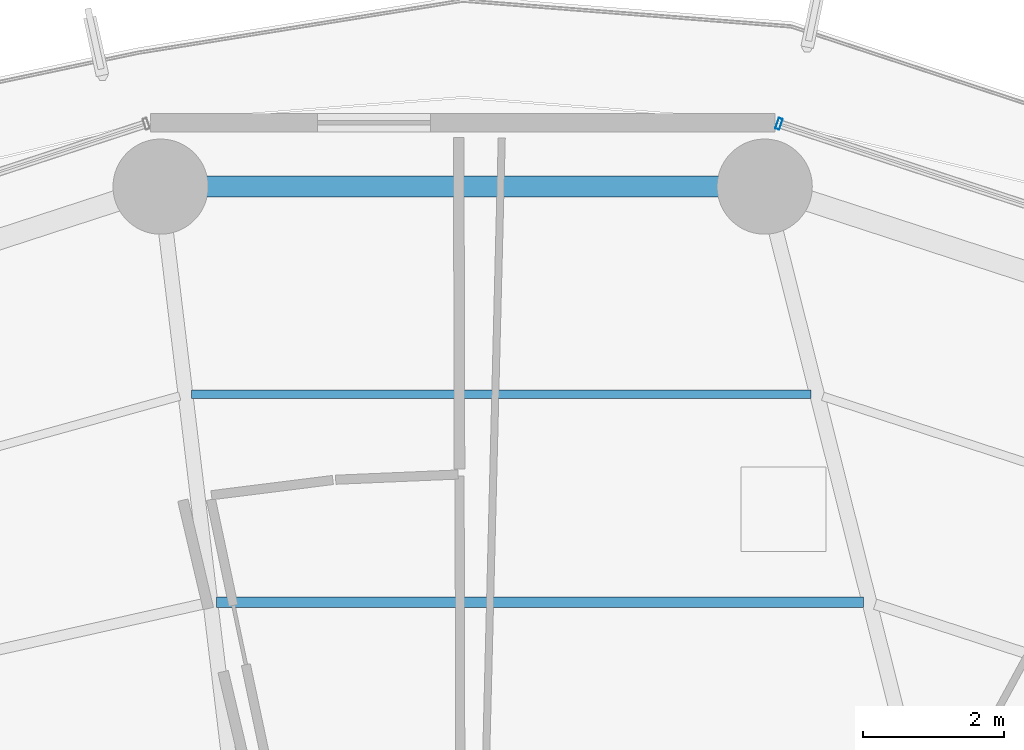
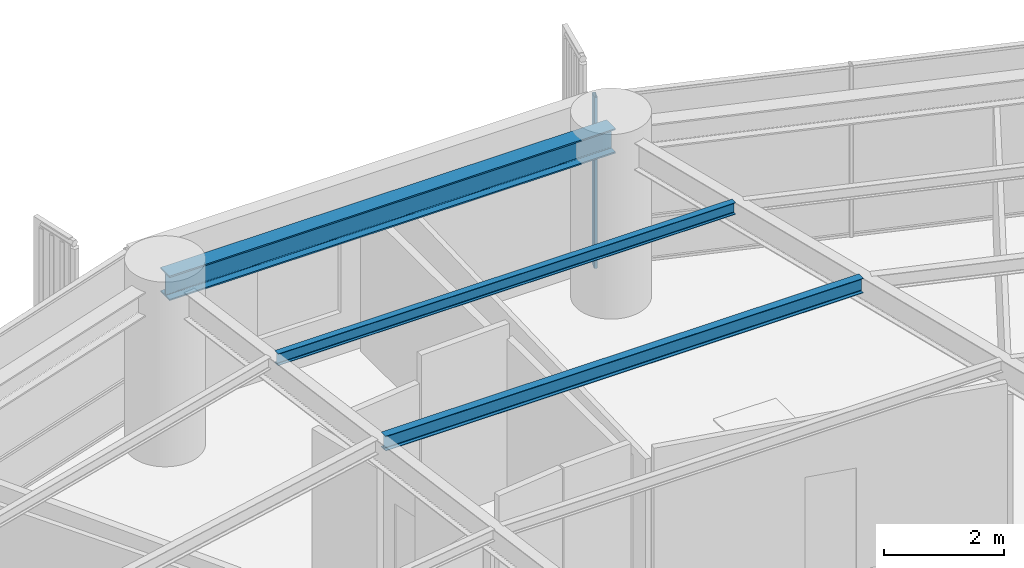
# One storey, part 23 of 35: 3 beams, 1 member, 1 element without a shape of its own.
"""IFC4 building model written with IfcOpenShell, lengths in metres."""

from ifc_helpers import new_model, si_unit, direction, frame, origin, origin_2d, place, context, subcontext, project, spatial, hollow_rectangle, i_section, extrude, material, layer, layer_set, material_profile, profile_set, type_object, element, aggregate, save


model = new_model("IFC4")

# Units and contexts
model_context = context("Model", 3, precision=1e-05, world=origin(), true_north=direction((0.0, 1.0)))
body_context = subcontext(model_context, "Body", "Model", "MODEL_VIEW")
ifc_project = project(units=[si_unit("LENGTHUNIT", "METRE"), si_unit("AREAUNIT", "SQUARE_METRE"), si_unit("VOLUMEUNIT", "CUBIC_METRE"), si_unit("PLANEANGLEUNIT", "RADIAN"), si_unit("MASSUNIT", "GRAM", prefix="KILO")], contexts=[model_context])

# Site, building, storey
site_placement = place(None, origin())
site = spatial("IfcSite", under=ifc_project, at=site_placement, CompositionType="ELEMENT")
building_placement = place(site_placement, origin())
building = spatial("IfcBuilding", under=site, at=building_placement, Name="Kelanora Arch Commons", CompositionType="ELEMENT")
storey_placement = place(building_placement, frame((0.0, 0.0, 121.35009765625)))
storey = spatial("IfcBuildingStorey", under=building, at=storey_placement, Name="L31", CompositionType="ELEMENT", Elevation=121.35009765625)

# Beams
ifc_material_1 = material(Name="Steel S355", Category="steel")
ifc_material_profile_1 = material_profile(ifc_material_1, i_section(OverallWidth=0.14990234375, OverallDepth=0.300048828125, WebThickness=0.007080078125, FlangeThickness=0.0107421875, FilletRadius=0.014892578125, at=origin_2d()), Name="IPE300")
ifc_profile_set_1 = profile_set([ifc_material_profile_1], Name="Steel S355")
beam_type_1 = type_object("IfcBeamType", Name="BM-JST-01", PredefinedType="JOIST", material=ifc_profile_set_1)
beam_1_placement = place(storey_placement, frame((79.686279296875, 73.8466796875, 3.33984375), z_axis=(-1.0, 0.0, 0.0), x_axis=(0.0, -1.0, 0.0)))
element("IfcBeam", 1, at=beam_1_placement, inside=storey, type_object=beam_type_1, Name="Secondary Chord Joist BJB-08 L31", PredefinedType="JOIST", context=body_context, shape_type="SweptSolid", body=[
    extrude(i_section(OverallWidth=0.14990234375, OverallDepth=0.300048828125, WebThickness=0.007080078125, FlangeThickness=0.0107421875, FilletRadius=0.014892578125, at=origin_2d()), origin(), (0.0, 0.0, 1.0), 9.1806640625),
])
ifc_material_profile_2 = material_profile(ifc_material_1, i_section(OverallWidth=0.1201171875, OverallDepth=0.239990234375, WebThickness=0.006103515625, FlangeThickness=0.009765625, FilletRadius=0.014892578125, at=origin_2d()), Name="IPE240")
ifc_profile_set_2 = profile_set([ifc_material_profile_2], Name="Steel S355")
beam_type_2 = type_object("IfcBeamType", Name="BM-JST-02", PredefinedType="JOIST", material=ifc_profile_set_2)
beam_2_placement = place(storey_placement, frame((78.943603515625, 76.795654296875, 3.369873046875), z_axis=(-1.0, 0.0, 0.0), x_axis=(0.0, -1.0, 0.0)))
element("IfcBeam", 2, at=beam_2_placement, inside=storey, type_object=beam_type_2, Name="Secondary Chord Joist BJC-08 L31", PredefinedType="JOIST", context=body_context, shape_type="SweptSolid", body=[
    extrude(i_section(OverallWidth=0.1201171875, OverallDepth=0.239990234375, WebThickness=0.006103515625, FlangeThickness=0.009765625, FilletRadius=0.014892578125, at=origin_2d()), origin(), (0.0, 0.0, 1.0), 8.791015625),
])
ifc_material_profile_3 = material_profile(ifc_material_1, i_section(OverallWidth=0.300048828125, OverallDepth=0.5, WebThickness=0.014404296875, FlangeThickness=0.028076171875, FilletRadius=0.027099609375, at=origin_2d()), Name="HEB500")
ifc_profile_set_3 = profile_set([ifc_material_profile_3], Name="Steel S355")
beam_type_3 = type_object("IfcBeamType", Name="BM-SPN-Z2", PredefinedType="SPANDREL", material=ifc_profile_set_3)
beam_3_placement = place(storey_placement, frame((78.28564453125, 79.74462890625, 3.239990234375), z_axis=(-1.0, 0.0, 0.0), x_axis=(0.0, -1.0, 0.0)))
element("IfcBeam", 3, at=beam_3_placement, inside=storey, type_object=beam_type_3, Name="Perimeter Spandrel Beam BS-08 L31", PredefinedType="SPANDREL", context=body_context, shape_type="SweptSolid", body=[
    extrude(i_section(OverallWidth=0.300048828125, OverallDepth=0.5, WebThickness=0.014404296875, FlangeThickness=0.028076171875, FilletRadius=0.027099609375, at=origin_2d()), origin(), (0.0, 0.0, 1.0), 8.5712890625),
])

# Curtain wall, member
ifc_material_2 = material(Name="Terracotta ceramic-fritted low-E glass and aluminium", Category="masonry")
ifc_layer = layer(ifc_material_2, 0.159912109375)
ifc_layer_set = layer_set([ifc_layer], Name="Terracotta ceramic-fritted low-E glass and aluminium")
curtain_wall_type = type_object("IfcCurtainWallType", Name="CW-SYS-01", PredefinedType="NOTDEFINED", material=ifc_layer_set)
curtain_wall_placement = place(storey_placement, origin())
curtain_wall = element("IfcCurtainWall", 4, at=curtain_wall_placement, inside=storey, type_object=curtain_wall_type, Name="Unitised Curtain Wall L31-B03", PredefinedType="NOTDEFINED")
ifc_material_3 = material(Name="Powder-coated aluminium terracotta", Category="masonry")
ifc_material_profile_4 = material_profile(ifc_material_3, hollow_rectangle(XDim=0.159912109375, YDim=0.06005859375, WallThickness=0.0048828125, InnerFilletRadius=0.0048828125, OuterFilletRadius=0.010009765625, at=origin_2d()), Name="CWM160x60")
ifc_profile_set_4 = profile_set([ifc_material_profile_4], Name="Powder-coated aluminium terracotta")
member_type = type_object("IfcMemberType", Name="CWM-STD", PredefinedType="MULLION", material=ifc_profile_set_4)
member_placement = place(storey_placement, frame((78.48828125, 80.636474609375, 0.0), z_axis=(0.0, 0.0, 1.0), x_axis=(-0.31080470294, -0.950473795867, 0.0)))
member = element("IfcMember", 5, at=member_placement, type_object=member_type, Name="CW-01 mullion 3", PredefinedType="MULLION", context=body_context, shape_type="SweptSolid", body=[
    extrude(hollow_rectangle(XDim=0.159912109375, YDim=0.06005859375, WallThickness=0.0048828125, InnerFilletRadius=0.0048828125, OuterFilletRadius=0.010009765625, at=origin_2d()), origin(), (0.0, 0.0, 1.0), 3.474853515625),
])
aggregate(curtain_wall, [member])

save(model, "model.ifc")
